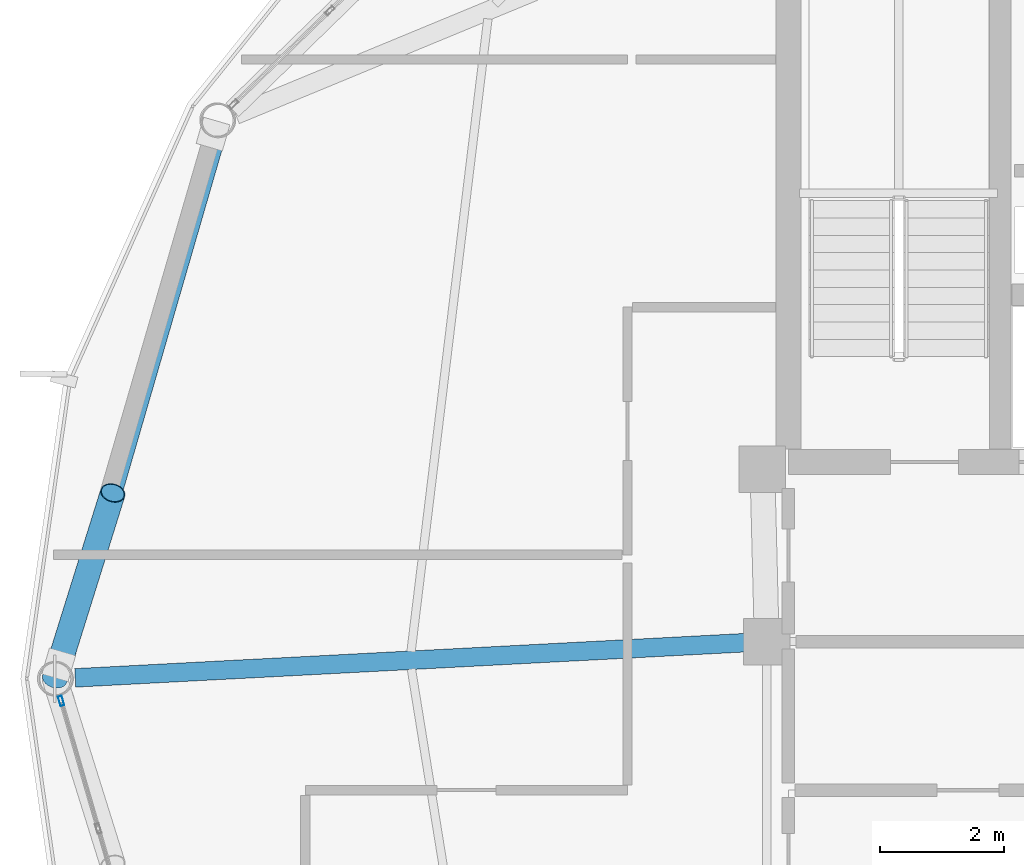
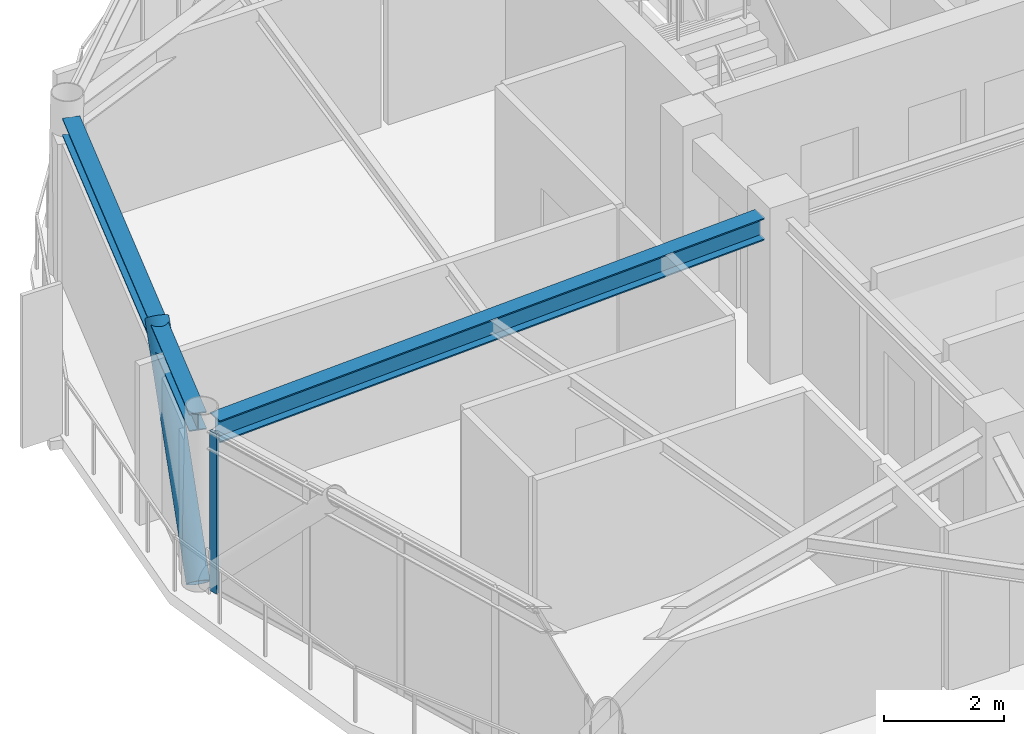
# One storey, part 11 of 28: 2 beams, 2 members, 1 element without a shape of its own.
"""IFC4 building model written with IfcOpenShell, lengths in metres."""

from ifc_helpers import new_model, si_unit, direction, frame, origin, origin_2d, place, context, subcontext, project, spatial, hollow_rectangle, hollow_circle, i_section, extrude, material, layer, layer_set, material_profile, profile_set, type_object, element, aggregate, save


model = new_model("IFC4")

# Units and contexts
model_context = context("Model", 3, precision=1e-05, world=origin(), true_north=direction((0.0, 1.0)))
body_context = subcontext(model_context, "Body", "Model", "MODEL_VIEW")
ifc_project = project(units=[si_unit("LENGTHUNIT", "METRE"), si_unit("AREAUNIT", "SQUARE_METRE"), si_unit("VOLUMEUNIT", "CUBIC_METRE"), si_unit("PLANEANGLEUNIT", "RADIAN"), si_unit("MASSUNIT", "GRAM", prefix="KILO")], contexts=[model_context])

# Site, building, storey
site_placement = place(None, origin())
site = spatial("IfcSite", under=ifc_project, at=site_placement, CompositionType="ELEMENT")
building_placement = place(site_placement, origin())
building = spatial("IfcBuilding", under=site, at=building_placement, Name="Varnakorn Sky Granary", CompositionType="ELEMENT")
storey_placement = place(building_placement, frame((0.0, 0.0, 236.39990234375)))
storey = spatial("IfcBuildingStorey", under=building, at=storey_placement, Name="L60", CompositionType="ELEMENT", Elevation=236.39990234375)

# Beams
ifc_material_1 = material(Name="Steel S355JR", Category="steel")
ifc_material_profile_1 = material_profile(ifc_material_1, i_section(OverallWidth=0.300048828125, OverallDepth=0.449951171875, WebThickness=0.013916015625, FlangeThickness=0.02587890625, at=origin_2d()), Name="HE 450 B")
ifc_profile_set_1 = profile_set([ifc_material_profile_1], Name="Steel S355JR")
beam_type_1 = type_object("IfcBeamType", Name="BM-RAD-Z5", PredefinedType="BEAM", material=ifc_profile_set_1)
beam_1_placement = place(storey_placement, frame((-2.70458984375, 0.581298828125, 3.025146484375), z_axis=(-0.998625977282, -0.052403792788, 0.0), x_axis=(0.052403792788, -0.998625977282, 0.0)))
element("IfcBeam", 1, at=beam_1_placement, inside=storey, type_object=beam_type_1, Name="Radial Floor Girder RG07 L60", PredefinedType="BEAM", context=body_context, shape_type="SweptSolid", body=[
    extrude(i_section(OverallWidth=0.300048828125, OverallDepth=0.449951171875, WebThickness=0.013916015625, FlangeThickness=0.02587890625, at=origin_2d()), origin(), (0.0, 0.0, 1.0), 10.8271484375),
])
ifc_material_profile_2 = material_profile(ifc_material_1, i_section(OverallWidth=0.300048828125, OverallDepth=0.360107421875, WebThickness=0.012451171875, FlangeThickness=0.0224609375, at=origin_2d()), Name="HE 360 B")
ifc_profile_set_2 = profile_set([ifc_material_profile_2], Name="Steel S355JR")
beam_type_2 = type_object("IfcBeamType", Name="BM-SPD-Z5", PredefinedType="SPANDREL", material=ifc_profile_set_2)
beam_2_placement = place(storey_placement, frame((-11.24169921875, 8.74853515625, 3.070068359375), z_axis=(-0.278746965236, -0.960364581485, 0.0), x_axis=(0.960364581485, -0.278746965236, 0.0)))
element("IfcBeam", 2, at=beam_2_placement, inside=storey, type_object=beam_type_2, Name="Perimeter Spandrel Ring Beam RB06 L60", PredefinedType="SPANDREL", context=body_context, shape_type="SweptSolid", body=[
    extrude(i_section(OverallWidth=0.300048828125, OverallDepth=0.360107421875, WebThickness=0.012451171875, FlangeThickness=0.0224609375, at=origin_2d()), origin(), (0.0, 0.0, 1.0), 8.84521484375),
])

# Curtain wall, member
ifc_material_2 = material(Name="Anodised Bronze Aluminium Alloy 6063-T6", Category="aluminium")
ifc_layer = layer(ifc_material_2, 0.159912109375, Name="Anodised Bronze Aluminium Alloy 6063-T6")
ifc_layer_set = layer_set([ifc_layer], Name="Anodised Bronze Aluminium Alloy 6063-T6")
curtain_wall_type = type_object("IfcCurtainWallType", Name="CW-OFF-1", PredefinedType="USERDEFINED", material=ifc_layer_set)
curtain_wall_placement = place(storey_placement, origin())
curtain_wall = element("IfcCurtainWall", 3, at=curtain_wall_placement, inside=storey, type_object=curtain_wall_type, Name="Unitised Curtain Wall CW6 CW-L60-B07", ObjectType="CURTAIN WALL", PredefinedType="USERDEFINED")
ifc_material_profile_3 = material_profile(ifc_material_2, hollow_rectangle(XDim=0.06494140625, YDim=0.159912109375, WallThickness=0.00341796875, at=origin_2d()), Name="ALU MULL 65x160")
ifc_profile_set_3 = profile_set([ifc_material_profile_3], Name="Anodised Bronze Aluminium Alloy 6063-T6")
member_type_1 = type_object("IfcMemberType", Name="CW-OFF-1-MULL", PredefinedType="MULLION", material=ifc_profile_set_3)
member_1_placement = place(storey_placement, frame((-13.744140625, -0.357177734375, 0.0), z_axis=(0.0, 0.0, 1.0), x_axis=(-0.960250122015, -0.279141009475, 0.0)))
member_1 = element("IfcMember", 4, at=member_1_placement, type_object=member_type_1, Name="CW6 mullion 5", PredefinedType="MULLION", context=body_context, shape_type="SweptSolid", body=[
    extrude(hollow_rectangle(XDim=0.06494140625, YDim=0.159912109375, WallThickness=0.00341796875, at=origin_2d()), origin(), (0.0, 0.0, 1.0), 3.25),
])
aggregate(curtain_wall, [member_1])

# Member
ifc_material_3 = material(Name="Steel S460M", Category="steel")
ifc_material_profile_4 = material_profile(ifc_material_3, hollow_circle(Radius=0.203125, WallThickness=0.01611328125, at=origin_2d()), Name="CHS 406.4x16")
ifc_profile_set_4 = profile_set([ifc_material_profile_4], Name="Steel S460M")
member_type_2 = type_object("IfcMemberType", Name="MB-DIAG-T4", PredefinedType="BRACE", material=ifc_profile_set_4)
member_2_placement = place(storey_placement, frame((-13.847900390625, 0.0, 0.0), z_axis=(0.207436711369, 0.663613904071, 0.718739589211), x_axis=(-0.954456485156, 0.298350159952, 0.0)))
element("IfcMember", 5, at=member_2_placement, inside=storey, type_object=member_type_2, Name="Perimeter CHS Diagrid Brace DG06 L60", PredefinedType="BRACE", context=body_context, shape_type="SweptSolid", body=[
    extrude(hollow_circle(Radius=0.203125, WallThickness=0.01611328125, at=origin_2d()), origin(), (0.0, 0.0, 1.0), 4.521728515625),
])

save(model, "model.ifc")
